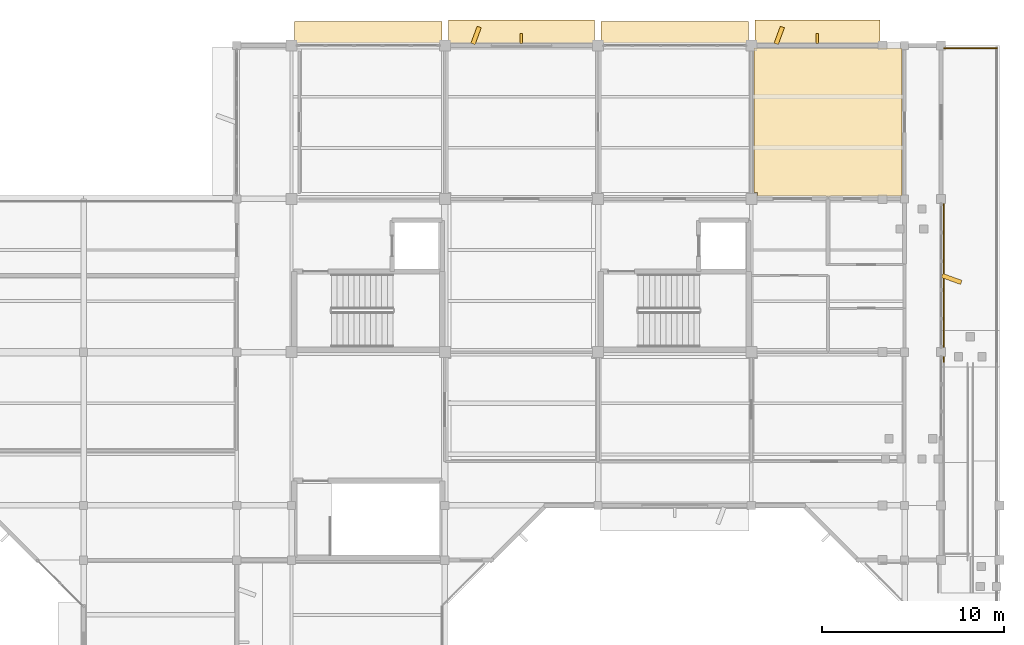
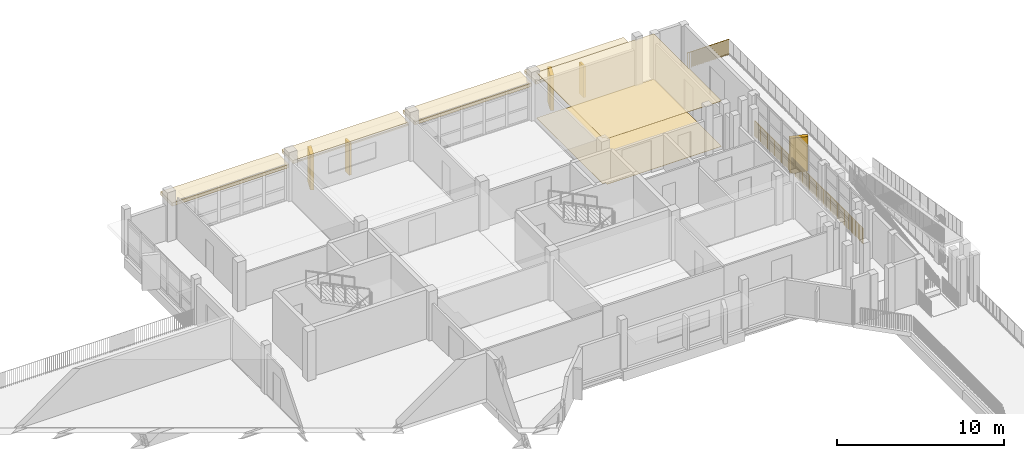
# One storey, part 42 of 42: 9 coverings, 2 railings, 2 shading devices.
"""IFC4 building model written with IfcOpenShell, lengths in metres."""

from ifc_helpers import new_model, si_unit, direction, frame, origin, origin_2d, place, context, subcontext, project, spatial, polyline, rectangle, circle, outline, extrude, material, layer, layer_set, type_object, element, save


model = new_model("IFC4")

# Units and contexts
model_context = context("Model", 3, precision=1e-05, world=origin(), true_north=direction((0.0, 1.0)))
body_context = subcontext(model_context, "Body", "Model", "MODEL_VIEW")
ifc_project = project(units=[si_unit("LENGTHUNIT", "METRE"), si_unit("AREAUNIT", "SQUARE_METRE"), si_unit("VOLUMEUNIT", "CUBIC_METRE"), si_unit("PLANEANGLEUNIT", "RADIAN"), si_unit("MASSUNIT", "GRAM", prefix="KILO")], contexts=[model_context])

# Site, building, storey
site_placement = place(None, origin())
site = spatial("IfcSite", under=ifc_project, at=site_placement, CompositionType="ELEMENT")
building_placement = place(site_placement, origin())
building = spatial("IfcBuilding", under=site, at=building_placement, Name="Vanh Quang Courtyard School", CompositionType="ELEMENT")
storey_placement = place(building_placement, frame((0.0, 0.0, 15.0)))
storey = spatial("IfcBuildingStorey", under=building, at=storey_placement, Name="L04", CompositionType="ELEMENT", Elevation=15.0)

# Coverings
ifc_material_1 = material(Name="Perforated mineral-fibre acoustic ceiling board")
ifc_layer_1 = layer(ifc_material_1, 0.02490234375)
ifc_layer_set_1 = layer_set([ifc_layer_1], Name="Perforated mineral-fibre acoustic ceiling board")
covering_type_1 = type_object("IfcCoveringType", Name="COV-CEIL-ACOUSTIC", PredefinedType="CEILING", material=ifc_layer_set_1)
covering_1_placement = place(storey_placement, frame((0.0, 0.0, 3.324951171875)))
element("IfcCovering", 1, at=covering_1_placement, inside=storey, type_object=covering_type_1, Name="Covering CV-CL1 (L04)", PredefinedType="CEILING", context=body_context, shape_type="SweptSolid", body=[
    extrude(outline(polyline([(102.949951171875, 88.35009765625), (102.949951171875, 88.550048828125), (102.75, 88.550048828125), (102.75, 96.4599609375), (102.75, 96.4609375), (102.750244140625, 96.4619140625), (102.75048828125, 96.462890625), (102.750732421875, 96.4638671875), (102.751220703125, 96.464599609375), (102.751708984375, 96.465576171875), (102.752197265625, 96.46630859375), (102.7529296875, 96.467041015625), (102.753662109375, 96.4677734375), (102.75439453125, 96.46826171875), (102.75537109375, 96.46875), (102.756103515625, 96.46923828125), (102.757080078125, 96.469482421875), (102.758056640625, 96.4697265625), (102.759033203125, 96.469970703125), (102.760009765625, 96.469970703125), (110.860107421875, 96.469970703125), (110.861083984375, 96.469970703125), (110.862060546875, 96.4697265625), (110.86279296875, 96.469482421875), (110.86376953125, 96.46923828125), (110.86474609375, 96.46875), (110.865478515625, 96.46826171875), (110.8662109375, 96.4677734375), (110.8671875, 96.467041015625), (110.86767578125, 96.46630859375), (110.868408203125, 96.465576171875), (110.868896484375, 96.464599609375), (110.869140625, 96.4638671875), (110.86962890625, 96.462890625), (110.869873046875, 96.4619140625), (110.8701171875, 96.4609375), (110.8701171875, 96.4599609375), (110.8701171875, 88.360107421875), (110.8701171875, 88.35888671875), (110.869873046875, 88.35791015625), (110.86962890625, 88.357177734375), (110.869140625, 88.356201171875), (110.868896484375, 88.355224609375), (110.868408203125, 88.3544921875), (110.86767578125, 88.353759765625), (110.8671875, 88.352783203125), (110.8662109375, 88.352294921875), (110.865478515625, 88.351806640625), (110.86474609375, 88.351318359375), (110.86376953125, 88.350830078125), (110.86279296875, 88.350341796875), (110.862060546875, 88.35009765625), (110.861083984375, 88.35009765625), (110.860107421875, 88.35009765625), (106.9609375, 88.35009765625), (106.8544921875, 88.330078125), (106.853515625, 88.330078125), (106.8525390625, 88.330078125), (106.767333984375, 88.330078125), (106.7666015625, 88.330078125), (106.765625, 88.330078125), (106.6591796875, 88.35009765625), (102.949951171875, 88.35009765625)])), origin(), (0.0, 0.0, 1.0), 0.025146484375),
])
ifc_material_2 = material(Name="Polished cementitious terrazzo tile", Category="concrete")
ifc_layer_2 = layer(ifc_material_2, 0.02001953125)
ifc_layer_set_2 = layer_set([ifc_layer_2], Name="Polished cementitious terrazzo tile")
covering_type_2 = type_object("IfcCoveringType", Name="COV-FLR-TERRAZZO", PredefinedType="FLOORING", material=ifc_layer_set_2)
covering_2_placement = place(storey_placement, origin())
element("IfcCovering", 2, at=covering_2_placement, inside=storey, type_object=covering_type_2, Name="Covering CV-FL1 (L04)", PredefinedType="FLOORING", context=body_context, shape_type="SweptSolid", body=[
    extrude(outline(polyline([(102.949951171875, 88.35009765625), (102.949951171875, 88.550048828125), (102.75, 88.550048828125), (102.75, 96.4599609375), (102.75, 96.4609375), (102.750244140625, 96.4619140625), (102.75048828125, 96.462890625), (102.750732421875, 96.4638671875), (102.751220703125, 96.464599609375), (102.751708984375, 96.465576171875), (102.752197265625, 96.46630859375), (102.7529296875, 96.467041015625), (102.753662109375, 96.4677734375), (102.75439453125, 96.46826171875), (102.75537109375, 96.46875), (102.756103515625, 96.46923828125), (102.757080078125, 96.469482421875), (102.758056640625, 96.4697265625), (102.759033203125, 96.469970703125), (102.760009765625, 96.469970703125), (110.860107421875, 96.469970703125), (110.861083984375, 96.469970703125), (110.862060546875, 96.4697265625), (110.86279296875, 96.469482421875), (110.86376953125, 96.46923828125), (110.86474609375, 96.46875), (110.865478515625, 96.46826171875), (110.8662109375, 96.4677734375), (110.8671875, 96.467041015625), (110.86767578125, 96.46630859375), (110.868408203125, 96.465576171875), (110.868896484375, 96.464599609375), (110.869140625, 96.4638671875), (110.86962890625, 96.462890625), (110.869873046875, 96.4619140625), (110.8701171875, 96.4609375), (110.8701171875, 96.4599609375), (110.8701171875, 88.360107421875), (110.8701171875, 88.35888671875), (110.869873046875, 88.35791015625), (110.86962890625, 88.357177734375), (110.869140625, 88.356201171875), (110.868896484375, 88.355224609375), (110.868408203125, 88.3544921875), (110.86767578125, 88.353759765625), (110.8671875, 88.352783203125), (110.8662109375, 88.352294921875), (110.865478515625, 88.351806640625), (110.86474609375, 88.351318359375), (110.86376953125, 88.350830078125), (110.86279296875, 88.350341796875), (110.862060546875, 88.35009765625), (110.861083984375, 88.35009765625), (110.860107421875, 88.35009765625), (106.9609375, 88.35009765625), (106.8544921875, 88.330078125), (106.853515625, 88.330078125), (106.8525390625, 88.330078125), (106.767333984375, 88.330078125), (106.7666015625, 88.330078125), (106.765625, 88.330078125), (106.6591796875, 88.35009765625), (102.949951171875, 88.35009765625)])), origin(), (0.0, 0.0, 1.0), 0.02001953125),
])
ifc_material_3 = material(Name="Board-marked precast concrete C40/50", Category="concrete")
ifc_layer_3 = layer(ifc_material_3, 0.239990234375)
ifc_layer_set_3 = layer_set([ifc_layer_3], Name="Board-marked precast concrete C40/50")
covering_type_3 = type_object("IfcCoveringType", Name="COV-HOOD-CONC", PredefinedType="CLADDING", material=ifc_layer_set_3)
covering_3_placement = place(storey_placement, frame((81.60009765625, 97.219970703125, 2.33984375), z_axis=(0.0, 0.0, 1.0), x_axis=(1.0, 0.0, 0.0)))
element("IfcCovering", 3, at=covering_3_placement, inside=storey, type_object=covering_type_3, Name="Covering CH-01 (L04)", PredefinedType="CLADDING", context=body_context, shape_type="SweptSolid", body=[
    extrude(rectangle(XDim=8.083984375, YDim=1.39990234375, at=origin_2d()), origin(), (0.0, 0.0, 1.0), 0.239990234375),
])
covering_4_placement = place(storey_placement, frame((90.0, 97.330078125, 2.41015625), z_axis=(0.0, 0.0, 1.0), x_axis=(1.0, 0.0, 0.0)))
element("IfcCovering", 4, at=covering_4_placement, inside=storey, type_object=covering_type_3, Name="Covering CH-01 (L04)", PredefinedType="CLADDING", context=body_context, shape_type="SweptSolid", body=[
    extrude(rectangle(XDim=8.00390625, YDim=1.35009765625, at=origin_2d()), origin(), (0.0, 0.0, 1.0), 0.239990234375),
])
covering_5_placement = place(storey_placement, frame((87.5166015625, 97.159912109375, 0.0), z_axis=(0.0, 0.0, 1.0), x_axis=(0.346608245445, 0.938009980858, 0.0)))
element("IfcCovering", 5, at=covering_5_placement, inside=storey, type_object=covering_type_3, Name="Covering CH-01 (L04)", PredefinedType="CLADDING", context=body_context, shape_type="SweptSolid", body=[
    extrude(rectangle(XDim=0.980712890625, YDim=0.239990234375, at=origin_2d()), origin(), (0.0, 0.0, 1.0), 2.56005859375),
])
covering_6_placement = place(storey_placement, frame((98.39990234375, 97.219970703125, 2.41015625), z_axis=(0.0, 0.0, 1.0), x_axis=(1.0, 0.0, 0.0)))
element("IfcCovering", 6, at=covering_6_placement, inside=storey, type_object=covering_type_3, Name="Covering CH-01 (L04)", PredefinedType="CLADDING", context=body_context, shape_type="SweptSolid", body=[
    extrude(rectangle(XDim=8.083984375, YDim=1.39990234375, at=origin_2d()), origin(), (0.0, 0.0, 1.0), 0.239990234375),
])
covering_7_placement = place(storey_placement, frame((106.22509765625, 97.330078125, 2.33984375), z_axis=(0.0, 0.0, 1.0), x_axis=(1.0, 0.0, 0.0)))
element("IfcCovering", 7, at=covering_7_placement, inside=storey, type_object=covering_type_3, Name="Covering CH-01 (L04)", PredefinedType="CLADDING", context=body_context, shape_type="SweptSolid", body=[
    extrude(rectangle(XDim=6.85400390625, YDim=1.35009765625, at=origin_2d()), origin(), (0.0, 0.0, 1.0), 0.239990234375),
])
covering_8_placement = place(storey_placement, frame((104.132568359375, 97.159912109375, 0.0), z_axis=(0.0, 0.0, 1.0), x_axis=(0.346608245445, 0.938009980858, 0.0)))
element("IfcCovering", 8, at=covering_8_placement, inside=storey, type_object=covering_type_3, Name="Covering CH-01 (L04)", PredefinedType="CLADDING", context=body_context, shape_type="SweptSolid", body=[
    extrude(rectangle(XDim=0.980712890625, YDim=0.239990234375, at=origin_2d()), origin(), (0.0, 0.0, 1.0), 2.56005859375),
])
covering_9_placement = place(storey_placement, frame((113.5849609375, 83.81005859375, 0.0), z_axis=(0.0, 0.0, 1.0), x_axis=(0.94028812701, -0.340379550213, 0.0)))
element("IfcCovering", 9, at=covering_9_placement, inside=storey, type_object=covering_type_3, Name="Covering CH-01 (L04)", PredefinedType="CLADDING", context=body_context, shape_type="SweptSolid", body=[
    extrude(rectangle(XDim=1.11669921875, YDim=0.239990234375, at=origin_2d()), origin(), (0.0, 0.0, 1.0), 2.56005859375),
])

# Railings
ifc_material_4 = material(Name="Galvanised painted steel EN 10025-2 S355J2", Category="steel")
railing_type = type_object("IfcRailingType", Name="RAIL-GUARD-1150", PredefinedType="BALUSTRADE", material=ifc_material_4)
railing_1_placement = place(storey_placement, frame((113.139892578125, 75.312744140625, 0.0)))
element("IfcRailing", 10, at=railing_1_placement, inside=storey, type_object=railing_type, Name="Railing GR-01 (L04)", PredefinedType="BALUSTRADE", context=body_context, shape_type="SweptSolid", body=[
    extrude(circle(Radius=0.02392578125, at=origin_2d()), frame((0.0, 0.0, 1.1259765625), z_axis=(0.0, 1.0, 0.0), x_axis=(-1.0, 0.0, 0.0)), (0.0, 0.0, 1.0), 12.99267578125),
    extrude(circle(Radius=0.02099609375, at=origin_2d()), origin(), (0.0, 0.0, 1.0), 1.101806640625),
    extrude(circle(Radius=0.02099609375, at=origin_2d()), frame((0.0, 0.1396484375, 0.0)), (0.0, 0.0, 1.0), 1.101806640625),
    extrude(circle(Radius=0.02099609375, at=origin_2d()), frame((0.0, 0.279296875, 0.0)), (0.0, 0.0, 1.0), 1.101806640625),
    extrude(circle(Radius=0.02099609375, at=origin_2d()), frame((0.0, 0.419189453125, 0.0)), (0.0, 0.0, 1.0), 1.101806640625),
    extrude(circle(Radius=0.02099609375, at=origin_2d()), frame((0.0, 0.558837890625, 0.0)), (0.0, 0.0, 1.0), 1.101806640625),
    extrude(circle(Radius=0.02099609375, at=origin_2d()), frame((0.0, 0.698486328125, 0.0)), (0.0, 0.0, 1.0), 1.101806640625),
    extrude(circle(Radius=0.02099609375, at=origin_2d()), frame((0.0, 0.838134765625, 0.0)), (0.0, 0.0, 1.0), 1.101806640625),
    extrude(circle(Radius=0.02099609375, at=origin_2d()), frame((0.0, 0.97802734375, 0.0)), (0.0, 0.0, 1.0), 1.101806640625),
    extrude(circle(Radius=0.02099609375, at=origin_2d()), frame((0.0, 1.11767578125, 0.0)), (0.0, 0.0, 1.0), 1.101806640625),
    extrude(circle(Radius=0.02099609375, at=origin_2d()), frame((0.0, 1.25732421875, 0.0)), (0.0, 0.0, 1.0), 1.101806640625),
    extrude(circle(Radius=0.02099609375, at=origin_2d()), frame((0.0, 1.39697265625, 0.0)), (0.0, 0.0, 1.0), 1.101806640625),
    extrude(circle(Radius=0.02099609375, at=origin_2d()), frame((0.0, 1.536865234375, 0.0)), (0.0, 0.0, 1.0), 1.101806640625),
    extrude(circle(Radius=0.02099609375, at=origin_2d()), frame((0.0, 1.676513671875, 0.0)), (0.0, 0.0, 1.0), 1.101806640625),
    extrude(circle(Radius=0.02099609375, at=origin_2d()), frame((0.0, 1.816162109375, 0.0)), (0.0, 0.0, 1.0), 1.101806640625),
    extrude(circle(Radius=0.02099609375, at=origin_2d()), frame((0.0, 1.955810546875, 0.0)), (0.0, 0.0, 1.0), 1.101806640625),
    extrude(circle(Radius=0.02099609375, at=origin_2d()), frame((0.0, 2.095703125, 0.0)), (0.0, 0.0, 1.0), 1.101806640625),
    extrude(circle(Radius=0.02099609375, at=origin_2d()), frame((0.0, 2.2353515625, 0.0)), (0.0, 0.0, 1.0), 1.101806640625),
    extrude(circle(Radius=0.02099609375, at=origin_2d()), frame((0.0, 2.375, 0.0)), (0.0, 0.0, 1.0), 1.101806640625),
    extrude(circle(Radius=0.02099609375, at=origin_2d()), frame((0.0, 2.5146484375, 0.0)), (0.0, 0.0, 1.0), 1.101806640625),
    extrude(circle(Radius=0.02099609375, at=origin_2d()), frame((0.0, 2.654296875, 0.0)), (0.0, 0.0, 1.0), 1.101806640625),
    extrude(circle(Radius=0.02099609375, at=origin_2d()), frame((0.0, 2.794189453125, 0.0)), (0.0, 0.0, 1.0), 1.101806640625),
    extrude(circle(Radius=0.02099609375, at=origin_2d()), frame((0.0, 2.933837890625, 0.0)), (0.0, 0.0, 1.0), 1.101806640625),
    extrude(circle(Radius=0.02099609375, at=origin_2d()), frame((0.0, 3.073486328125, 0.0)), (0.0, 0.0, 1.0), 1.101806640625),
    extrude(circle(Radius=0.02099609375, at=origin_2d()), frame((0.0, 3.213134765625, 0.0)), (0.0, 0.0, 1.0), 1.101806640625),
    extrude(circle(Radius=0.02099609375, at=origin_2d()), frame((0.0, 3.35302734375, 0.0)), (0.0, 0.0, 1.0), 1.101806640625),
    extrude(circle(Radius=0.02099609375, at=origin_2d()), frame((0.0, 3.49267578125, 0.0)), (0.0, 0.0, 1.0), 1.101806640625),
    extrude(circle(Radius=0.02099609375, at=origin_2d()), frame((0.0, 3.63232421875, 0.0)), (0.0, 0.0, 1.0), 1.101806640625),
    extrude(circle(Radius=0.02099609375, at=origin_2d()), frame((0.0, 3.77197265625, 0.0)), (0.0, 0.0, 1.0), 1.101806640625),
    extrude(circle(Radius=0.02099609375, at=origin_2d()), frame((0.0, 3.911865234375, 0.0)), (0.0, 0.0, 1.0), 1.101806640625),
    extrude(circle(Radius=0.02099609375, at=origin_2d()), frame((0.0, 4.051513671875, 0.0)), (0.0, 0.0, 1.0), 1.101806640625),
    extrude(circle(Radius=0.02099609375, at=origin_2d()), frame((0.0, 4.191162109375, 0.0)), (0.0, 0.0, 1.0), 1.101806640625),
    extrude(circle(Radius=0.02099609375, at=origin_2d()), frame((0.0, 4.330810546875, 0.0)), (0.0, 0.0, 1.0), 1.101806640625),
    extrude(circle(Radius=0.02099609375, at=origin_2d()), frame((0.0, 4.470703125, 0.0)), (0.0, 0.0, 1.0), 1.101806640625),
    extrude(circle(Radius=0.02099609375, at=origin_2d()), frame((0.0, 4.6103515625, 0.0)), (0.0, 0.0, 1.0), 1.101806640625),
    extrude(circle(Radius=0.02099609375, at=origin_2d()), frame((0.0, 4.75, 0.0)), (0.0, 0.0, 1.0), 1.101806640625),
    extrude(circle(Radius=0.02099609375, at=origin_2d()), frame((0.0, 4.8896484375, 0.0)), (0.0, 0.0, 1.0), 1.101806640625),
    extrude(circle(Radius=0.02099609375, at=origin_2d()), frame((0.0, 5.029541015625, 0.0)), (0.0, 0.0, 1.0), 1.101806640625),
    extrude(circle(Radius=0.02099609375, at=origin_2d()), frame((0.0, 5.169189453125, 0.0)), (0.0, 0.0, 1.0), 1.101806640625),
    extrude(circle(Radius=0.02099609375, at=origin_2d()), frame((0.0, 5.308837890625, 0.0)), (0.0, 0.0, 1.0), 1.101806640625),
    extrude(circle(Radius=0.02099609375, at=origin_2d()), frame((0.0, 5.448486328125, 0.0)), (0.0, 0.0, 1.0), 1.101806640625),
    extrude(circle(Radius=0.02099609375, at=origin_2d()), frame((0.0, 5.588134765625, 0.0)), (0.0, 0.0, 1.0), 1.101806640625),
    extrude(circle(Radius=0.02099609375, at=origin_2d()), frame((0.0, 5.72802734375, 0.0)), (0.0, 0.0, 1.0), 1.101806640625),
    extrude(circle(Radius=0.02099609375, at=origin_2d()), frame((0.0, 5.86767578125, 0.0)), (0.0, 0.0, 1.0), 1.101806640625),
    extrude(circle(Radius=0.02099609375, at=origin_2d()), frame((0.0, 6.00732421875, 0.0)), (0.0, 0.0, 1.0), 1.101806640625),
    extrude(circle(Radius=0.02099609375, at=origin_2d()), frame((0.0, 6.14697265625, 0.0)), (0.0, 0.0, 1.0), 1.101806640625),
    extrude(circle(Radius=0.02099609375, at=origin_2d()), frame((0.0, 6.286865234375, 0.0)), (0.0, 0.0, 1.0), 1.101806640625),
    extrude(circle(Radius=0.02099609375, at=origin_2d()), frame((0.0, 6.426513671875, 0.0)), (0.0, 0.0, 1.0), 1.101806640625),
    extrude(circle(Radius=0.02099609375, at=origin_2d()), frame((0.0, 6.566162109375, 0.0)), (0.0, 0.0, 1.0), 1.101806640625),
    extrude(circle(Radius=0.02099609375, at=origin_2d()), frame((0.0, 6.705810546875, 0.0)), (0.0, 0.0, 1.0), 1.101806640625),
    extrude(circle(Radius=0.02099609375, at=origin_2d()), frame((0.0, 6.845703125, 0.0)), (0.0, 0.0, 1.0), 1.101806640625),
    extrude(circle(Radius=0.02099609375, at=origin_2d()), frame((0.0, 6.9853515625, 0.0)), (0.0, 0.0, 1.0), 1.101806640625),
    extrude(circle(Radius=0.02099609375, at=origin_2d()), frame((0.0, 7.125, 0.0)), (0.0, 0.0, 1.0), 1.101806640625),
    extrude(circle(Radius=0.02099609375, at=origin_2d()), frame((0.0, 7.2646484375, 0.0)), (0.0, 0.0, 1.0), 1.101806640625),
    extrude(circle(Radius=0.02099609375, at=origin_2d()), frame((0.0, 7.404541015625, 0.0)), (0.0, 0.0, 1.0), 1.101806640625),
    extrude(circle(Radius=0.02099609375, at=origin_2d()), frame((0.0, 7.544189453125, 0.0)), (0.0, 0.0, 1.0), 1.101806640625),
    extrude(circle(Radius=0.02099609375, at=origin_2d()), frame((0.0, 7.683837890625, 0.0)), (0.0, 0.0, 1.0), 1.101806640625),
    extrude(circle(Radius=0.02099609375, at=origin_2d()), frame((0.0, 7.823486328125, 0.0)), (0.0, 0.0, 1.0), 1.101806640625),
    extrude(circle(Radius=0.02099609375, at=origin_2d()), frame((0.0, 7.963134765625, 0.0)), (0.0, 0.0, 1.0), 1.101806640625),
    extrude(circle(Radius=0.02099609375, at=origin_2d()), frame((0.0, 8.10302734375, 0.0)), (0.0, 0.0, 1.0), 1.101806640625),
    extrude(circle(Radius=0.02099609375, at=origin_2d()), frame((0.0, 8.24267578125, 0.0)), (0.0, 0.0, 1.0), 1.101806640625),
    extrude(circle(Radius=0.02099609375, at=origin_2d()), frame((0.0, 8.38232421875, 0.0)), (0.0, 0.0, 1.0), 1.101806640625),
    extrude(circle(Radius=0.02099609375, at=origin_2d()), frame((0.0, 8.52197265625, 0.0)), (0.0, 0.0, 1.0), 1.101806640625),
    extrude(circle(Radius=0.02099609375, at=origin_2d()), frame((0.0, 8.661865234375, 0.0)), (0.0, 0.0, 1.0), 1.101806640625),
    extrude(circle(Radius=0.02099609375, at=origin_2d()), frame((0.0, 8.801513671875, 0.0)), (0.0, 0.0, 1.0), 1.101806640625),
    extrude(circle(Radius=0.02099609375, at=origin_2d()), frame((0.0, 8.941162109375, 0.0)), (0.0, 0.0, 1.0), 1.101806640625),
    extrude(circle(Radius=0.02099609375, at=origin_2d()), frame((0.0, 9.080810546875, 0.0)), (0.0, 0.0, 1.0), 1.101806640625),
    extrude(circle(Radius=0.02099609375, at=origin_2d()), frame((0.0, 9.220703125, 0.0)), (0.0, 0.0, 1.0), 1.101806640625),
    extrude(circle(Radius=0.02099609375, at=origin_2d()), frame((0.0, 9.3603515625, 0.0)), (0.0, 0.0, 1.0), 1.101806640625),
    extrude(circle(Radius=0.02099609375, at=origin_2d()), frame((0.0, 9.5, 0.0)), (0.0, 0.0, 1.0), 1.101806640625),
    extrude(circle(Radius=0.02099609375, at=origin_2d()), frame((0.0, 9.6396484375, 0.0)), (0.0, 0.0, 1.0), 1.101806640625),
    extrude(circle(Radius=0.02099609375, at=origin_2d()), frame((0.0, 9.779541015625, 0.0)), (0.0, 0.0, 1.0), 1.101806640625),
    extrude(circle(Radius=0.02099609375, at=origin_2d()), frame((0.0, 9.919189453125, 0.0)), (0.0, 0.0, 1.0), 1.101806640625),
    extrude(circle(Radius=0.02099609375, at=origin_2d()), frame((0.0, 10.058837890625, 0.0)), (0.0, 0.0, 1.0), 1.101806640625),
    extrude(circle(Radius=0.02099609375, at=origin_2d()), frame((0.0, 10.198486328125, 0.0)), (0.0, 0.0, 1.0), 1.101806640625),
    extrude(circle(Radius=0.02099609375, at=origin_2d()), frame((0.0, 10.33837890625, 0.0)), (0.0, 0.0, 1.0), 1.101806640625),
    extrude(circle(Radius=0.02099609375, at=origin_2d()), frame((0.0, 10.47802734375, 0.0)), (0.0, 0.0, 1.0), 1.101806640625),
    extrude(circle(Radius=0.02099609375, at=origin_2d()), frame((0.0, 10.61767578125, 0.0)), (0.0, 0.0, 1.0), 1.101806640625),
    extrude(circle(Radius=0.02099609375, at=origin_2d()), frame((0.0, 10.75732421875, 0.0)), (0.0, 0.0, 1.0), 1.101806640625),
    extrude(circle(Radius=0.02099609375, at=origin_2d()), frame((0.0, 10.89697265625, 0.0)), (0.0, 0.0, 1.0), 1.101806640625),
    extrude(circle(Radius=0.02099609375, at=origin_2d()), frame((0.0, 11.036865234375, 0.0)), (0.0, 0.0, 1.0), 1.101806640625),
    extrude(circle(Radius=0.02099609375, at=origin_2d()), frame((0.0, 11.176513671875, 0.0)), (0.0, 0.0, 1.0), 1.101806640625),
    extrude(circle(Radius=0.02099609375, at=origin_2d()), frame((0.0, 11.316162109375, 0.0)), (0.0, 0.0, 1.0), 1.101806640625),
    extrude(circle(Radius=0.02099609375, at=origin_2d()), frame((0.0, 11.455810546875, 0.0)), (0.0, 0.0, 1.0), 1.101806640625),
    extrude(circle(Radius=0.02099609375, at=origin_2d()), frame((0.0, 11.595703125, 0.0)), (0.0, 0.0, 1.0), 1.101806640625),
    extrude(circle(Radius=0.02099609375, at=origin_2d()), frame((0.0, 11.7353515625, 0.0)), (0.0, 0.0, 1.0), 1.101806640625),
    extrude(circle(Radius=0.02099609375, at=origin_2d()), frame((0.0, 11.875, 0.0)), (0.0, 0.0, 1.0), 1.101806640625),
    extrude(circle(Radius=0.02099609375, at=origin_2d()), frame((0.0, 12.0146484375, 0.0)), (0.0, 0.0, 1.0), 1.101806640625),
    extrude(circle(Radius=0.02099609375, at=origin_2d()), frame((0.0, 12.154541015625, 0.0)), (0.0, 0.0, 1.0), 1.101806640625),
    extrude(circle(Radius=0.02099609375, at=origin_2d()), frame((0.0, 12.294189453125, 0.0)), (0.0, 0.0, 1.0), 1.101806640625),
    extrude(circle(Radius=0.02099609375, at=origin_2d()), frame((0.0, 12.433837890625, 0.0)), (0.0, 0.0, 1.0), 1.101806640625),
    extrude(circle(Radius=0.02099609375, at=origin_2d()), frame((0.0, 12.573486328125, 0.0)), (0.0, 0.0, 1.0), 1.101806640625),
    extrude(circle(Radius=0.02099609375, at=origin_2d()), frame((0.0, 12.71337890625, 0.0)), (0.0, 0.0, 1.0), 1.101806640625),
    extrude(circle(Radius=0.02099609375, at=origin_2d()), frame((0.0, 12.85302734375, 0.0)), (0.0, 0.0, 1.0), 1.101806640625),
    extrude(circle(Radius=0.02099609375, at=origin_2d()), frame((0.0, 12.99267578125, 0.0)), (0.0, 0.0, 1.0), 1.101806640625),
])
railing_2_placement = place(storey_placement, frame((113.168212890625, 96.4599609375, 0.0)))
element("IfcRailing", 11, at=railing_2_placement, inside=storey, type_object=railing_type, Name="Railing GR-01 (L04)", PredefinedType="BALUSTRADE", context=body_context, shape_type="SweptSolid", body=[
    extrude(circle(Radius=0.02392578125, at=origin_2d()), frame((0.0, 0.0, 1.1259765625), z_axis=(1.0, 0.0, 0.0), x_axis=(0.0, 1.0, 0.0)), (0.0, 0.0, 1.0), 2.891845703125),
    extrude(circle(Radius=0.02099609375, at=origin_2d()), origin(), (0.0, 0.0, 1.0), 1.101806640625),
    extrude(circle(Radius=0.02099609375, at=origin_2d()), frame((0.1376953125, 0.0, 0.0)), (0.0, 0.0, 1.0), 1.101806640625),
    extrude(circle(Radius=0.02099609375, at=origin_2d()), frame((0.275390625, 0.0, 0.0)), (0.0, 0.0, 1.0), 1.101806640625),
    extrude(circle(Radius=0.02099609375, at=origin_2d()), frame((0.4130859375, 0.0, 0.0)), (0.0, 0.0, 1.0), 1.101806640625),
    extrude(circle(Radius=0.02099609375, at=origin_2d()), frame((0.55078125, 0.0, 0.0)), (0.0, 0.0, 1.0), 1.101806640625),
    extrude(circle(Radius=0.02099609375, at=origin_2d()), frame((0.6884765625, 0.0, 0.0)), (0.0, 0.0, 1.0), 1.101806640625),
    extrude(circle(Radius=0.02099609375, at=origin_2d()), frame((0.826171875, 0.0, 0.0)), (0.0, 0.0, 1.0), 1.101806640625),
    extrude(circle(Radius=0.02099609375, at=origin_2d()), frame((0.9638671875, 0.0, 0.0)), (0.0, 0.0, 1.0), 1.101806640625),
    extrude(circle(Radius=0.02099609375, at=origin_2d()), frame((1.1015625, 0.0, 0.0)), (0.0, 0.0, 1.0), 1.101806640625),
    extrude(circle(Radius=0.02099609375, at=origin_2d()), frame((1.2392578125, 0.0, 0.0)), (0.0, 0.0, 1.0), 1.101806640625),
    extrude(circle(Radius=0.02099609375, at=origin_2d()), frame((1.376953125, 0.0, 0.0)), (0.0, 0.0, 1.0), 1.101806640625),
    extrude(circle(Radius=0.02099609375, at=origin_2d()), frame((1.514892578125, 0.0, 0.0)), (0.0, 0.0, 1.0), 1.101806640625),
    extrude(circle(Radius=0.02099609375, at=origin_2d()), frame((1.652587890625, 0.0, 0.0)), (0.0, 0.0, 1.0), 1.101806640625),
    extrude(circle(Radius=0.02099609375, at=origin_2d()), frame((1.790283203125, 0.0, 0.0)), (0.0, 0.0, 1.0), 1.101806640625),
    extrude(circle(Radius=0.02099609375, at=origin_2d()), frame((1.927978515625, 0.0, 0.0)), (0.0, 0.0, 1.0), 1.101806640625),
    extrude(circle(Radius=0.02099609375, at=origin_2d()), frame((2.065673828125, 0.0, 0.0)), (0.0, 0.0, 1.0), 1.101806640625),
    extrude(circle(Radius=0.02099609375, at=origin_2d()), frame((2.203369140625, 0.0, 0.0)), (0.0, 0.0, 1.0), 1.101806640625),
    extrude(circle(Radius=0.02099609375, at=origin_2d()), frame((2.341064453125, 0.0, 0.0)), (0.0, 0.0, 1.0), 1.101806640625),
    extrude(circle(Radius=0.02099609375, at=origin_2d()), frame((2.478759765625, 0.0, 0.0)), (0.0, 0.0, 1.0), 1.101806640625),
    extrude(circle(Radius=0.02099609375, at=origin_2d()), frame((2.616455078125, 0.0, 0.0)), (0.0, 0.0, 1.0), 1.101806640625),
    extrude(circle(Radius=0.02099609375, at=origin_2d()), frame((2.754150390625, 0.0, 0.0)), (0.0, 0.0, 1.0), 1.101806640625),
    extrude(circle(Radius=0.02099609375, at=origin_2d()), frame((2.891845703125, 0.0, 0.0)), (0.0, 0.0, 1.0), 1.101806640625),
])

# Shading devices
shading_device_type = type_object("IfcShadingDeviceType", Name="SHD-FIN-CONCRETE", PredefinedType="USERDEFINED", material=ifc_material_3)
shading_device_1_placement = place(storey_placement, frame((90.0, 96.985107421875, 0.14990234375), z_axis=(0.0, 0.0, 1.0), x_axis=(1.0, 0.0, 0.0)))
element("IfcShadingDevice", 12, at=shading_device_1_placement, inside=storey, type_object=shading_device_type, Name="Solar Shading SH-02 (L04)", ObjectType="Solar Shading SH-02 (L04)", PredefinedType="USERDEFINED", context=body_context, shape_type="SweptSolid", body=[
    extrude(rectangle(XDim=0.139892578125, YDim=0.550048828125, at=origin_2d()), origin(), (0.0, 0.0, 1.0), 2.35009765625),
])
shading_device_2_placement = place(storey_placement, frame((106.22509765625, 96.985107421875, 0.14990234375), z_axis=(0.0, 0.0, 1.0), x_axis=(1.0, 0.0, 0.0)))
element("IfcShadingDevice", 13, at=shading_device_2_placement, inside=storey, type_object=shading_device_type, Name="Solar Shading SH-02 (L04)", ObjectType="Solar Shading SH-02 (L04)", PredefinedType="USERDEFINED", context=body_context, shape_type="SweptSolid", body=[
    extrude(rectangle(XDim=0.139892578125, YDim=0.550048828125, at=origin_2d()), origin(), (0.0, 0.0, 1.0), 2.280029296875),
])

save(model, "model.ifc")
